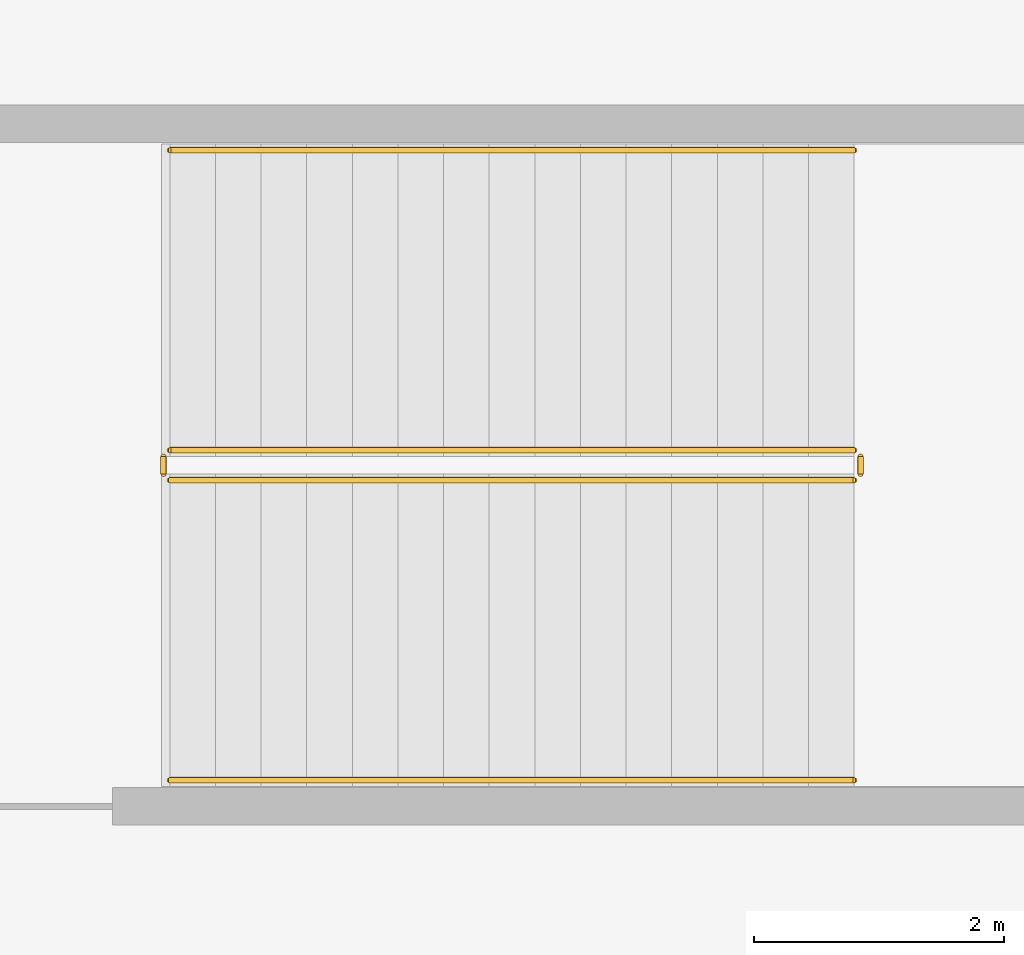
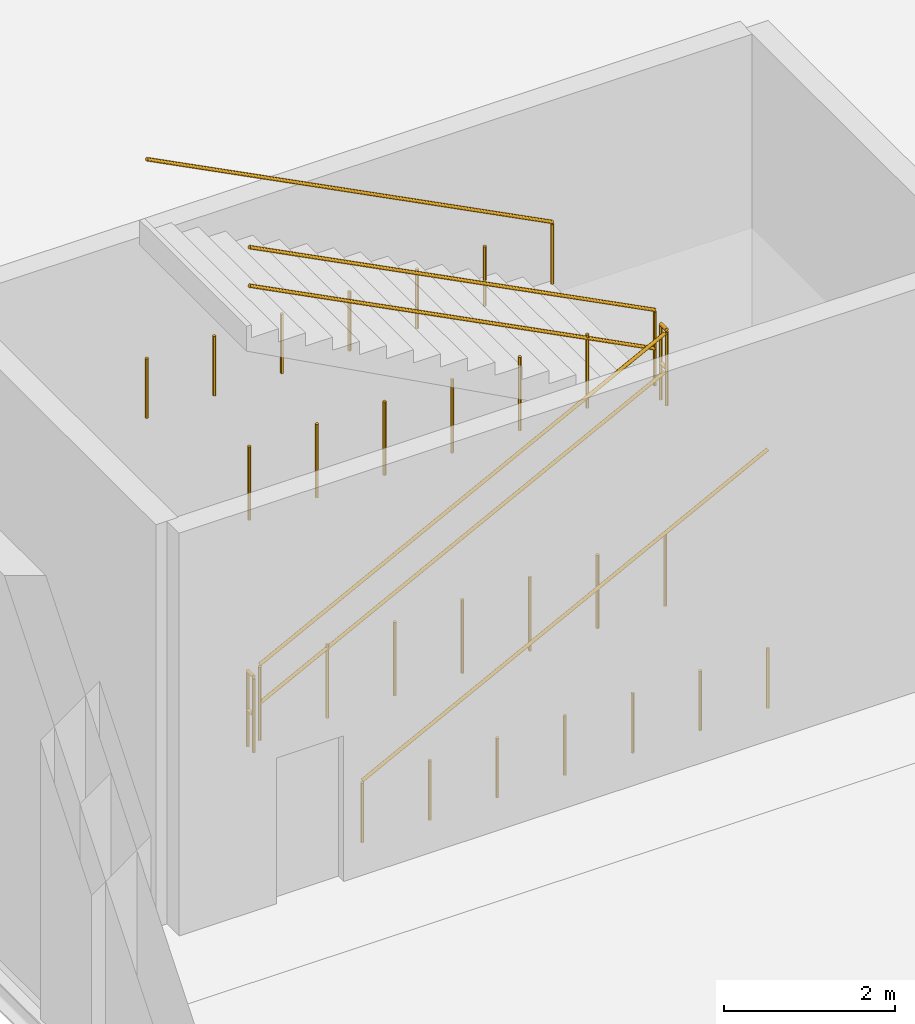
# One storey, part 111 of 124: 6 railings.
"""IFC4 building model written with IfcOpenShell, lengths in metres."""

from ifc_helpers import new_model, si_unit, direction, frame, origin, origin_2d, place, context, subcontext, project, spatial, circle, extrude, material, type_object, element, save


model = new_model("IFC4")

# Units and contexts
model_context = context("Model", 3, precision=1e-05, world=origin(), true_north=direction((0.0, 1.0)))
body_context = subcontext(model_context, "Body", "Model", "MODEL_VIEW")
ifc_project = project(units=[si_unit("LENGTHUNIT", "METRE"), si_unit("AREAUNIT", "SQUARE_METRE"), si_unit("VOLUMEUNIT", "CUBIC_METRE"), si_unit("PLANEANGLEUNIT", "RADIAN"), si_unit("MASSUNIT", "GRAM", prefix="KILO")], contexts=[model_context])

# Site, building, storey
site_placement = place(None, origin())
site = spatial("IfcSite", under=ifc_project, at=site_placement, CompositionType="ELEMENT")
building_placement = place(site_placement, origin())
building = spatial("IfcBuilding", under=site, at=building_placement, Name="Danafjord Basin Convention Centre", CompositionType="ELEMENT")
storey_placement = place(building_placement, origin())
storey = spatial("IfcBuildingStorey", under=building, at=storey_placement, Name="L00", CompositionType="ELEMENT", Elevation=0.0)

# Railings
ifc_material_1 = material(Name="Galvanised steel S355", Category="steel")
railing_type_1 = type_object("IfcRailingType", Name="RL-GD-WELL", PredefinedType="BALUSTRADE", material=ifc_material_1)
railing_1_placement = place(storey_placement, frame((4.530029296875, 100.010009765625, 0.1875)))
element("IfcRailing", 1, at=railing_1_placement, inside=storey, type_object=railing_type_1, Name="L00 ST-08 stair guard 1", PredefinedType="BALUSTRADE", context=body_context, shape_type="SweptSolid", body=[
    extrude(circle(Radius=0.02392578125, at=origin_2d()), frame((0.0, 0.0, 1.076171875), z_axis=(0.889495128042, 0.0, 0.456944654405), x_axis=(0.0, 1.0, 0.0)), (0.0, 0.0, 1.0), 6.155029296875),
    extrude(circle(Radius=0.02392578125, at=origin_2d()), frame((0.0, 0.0, 0.52587890625), z_axis=(0.889495128042, 0.0, 0.456944654405), x_axis=(0.0, 1.0, 0.0)), (0.0, 0.0, 1.0), 6.155029296875),
    extrude(circle(Radius=0.02099609375, at=origin_2d()), origin(), (0.0, 0.0, 1.0), 1.050048828125),
    extrude(circle(Radius=0.02099609375, at=origin_2d()), frame((0.91259765625, 0.0, 0.0)), (0.0, 0.0, 1.0), 1.050048828125),
    extrude(circle(Radius=0.02099609375, at=origin_2d()), frame((1.824951171875, 0.0, 0.0)), (0.0, 0.0, 1.0), 1.050048828125),
    extrude(circle(Radius=0.02099609375, at=origin_2d()), frame((2.7373046875, 0.0, 0.0)), (0.0, 0.0, 1.0), 1.050048828125),
    extrude(circle(Radius=0.02099609375, at=origin_2d()), frame((3.64990234375, 0.0, 0.0)), (0.0, 0.0, 1.0), 1.050048828125),
    extrude(circle(Radius=0.02099609375, at=origin_2d()), frame((4.5625, 0.0, 0.0)), (0.0, 0.0, 1.0), 1.050048828125),
    extrude(circle(Radius=0.02099609375, at=origin_2d()), frame((5.474853515625, 0.0, 0.0)), (0.0, 0.0, 1.0), 1.050048828125),
])
railing_2_placement = place(storey_placement, frame((10.054931640625, 100.06005859375, 3.0)))
element("IfcRailing", 2, at=railing_2_placement, inside=storey, type_object=railing_type_1, Name="L00 ST-08 stair guard 2", PredefinedType="BALUSTRADE", context=body_context, shape_type="SweptSolid", body=[
    extrude(circle(Radius=0.02392578125, at=origin_2d()), frame((0.0, 0.0, 1.076171875), z_axis=(0.0, 1.0, 0.0), x_axis=(-1.0, 0.0, 0.0)), (0.0, 0.0, 1.0), 0.139892578125),
    extrude(circle(Radius=0.02392578125, at=origin_2d()), frame((0.0, 0.0, 0.52587890625), z_axis=(0.0, 1.0, 0.0), x_axis=(-1.0, 0.0, 0.0)), (0.0, 0.0, 1.0), 0.139892578125),
    extrude(circle(Radius=0.02099609375, at=origin_2d()), origin(), (0.0, 0.0, 1.0), 1.050048828125),
    extrude(circle(Radius=0.02099609375, at=origin_2d()), frame((0.0, 0.139892578125, 0.0)), (0.0, 0.0, 1.0), 1.050048828125),
])
railing_3_placement = place(storey_placement, frame((10.0048828125, 100.25, 3.1875)))
element("IfcRailing", 3, at=railing_3_placement, inside=storey, type_object=railing_type_1, Name="L00 ST-08 stair guard 3", PredefinedType="BALUSTRADE", context=body_context, shape_type="SweptSolid", body=[
    extrude(circle(Radius=0.02392578125, at=origin_2d()), frame((0.0, 0.0, 1.076171875), z_axis=(-0.889495128042, 0.0, 0.456944654405), x_axis=(0.0, -1.0, 0.0)), (0.0, 0.0, 1.0), 6.155029296875),
    extrude(circle(Radius=0.02392578125, at=origin_2d()), frame((0.0, 0.0, 0.52587890625), z_axis=(-0.889495128042, 0.0, 0.456944654405), x_axis=(0.0, -1.0, 0.0)), (0.0, 0.0, 1.0), 6.155029296875),
    extrude(circle(Radius=0.02099609375, at=origin_2d()), origin(), (0.0, 0.0, 1.0), 1.050048828125),
    extrude(circle(Radius=0.02099609375, at=origin_2d()), frame((-0.91259765625, 0.0, 0.0)), (0.0, 0.0, 1.0), 1.050048828125),
    extrude(circle(Radius=0.02099609375, at=origin_2d()), frame((-1.824951171875, 0.0, 0.0)), (0.0, 0.0, 1.0), 1.050048828125),
    extrude(circle(Radius=0.02099609375, at=origin_2d()), frame((-2.7373046875, 0.0, 0.0)), (0.0, 0.0, 1.0), 1.050048828125),
    extrude(circle(Radius=0.02099609375, at=origin_2d()), frame((-3.64990234375, 0.0, 0.0)), (0.0, 0.0, 1.0), 1.050048828125),
    extrude(circle(Radius=0.02099609375, at=origin_2d()), frame((-4.5625, 0.0, 0.0)), (0.0, 0.0, 1.0), 1.050048828125),
    extrude(circle(Radius=0.02099609375, at=origin_2d()), frame((-5.474853515625, 0.0, 0.0)), (0.0, 0.0, 1.0), 1.050048828125),
])
railing_4_placement = place(storey_placement, frame((4.47998046875, 100.06005859375, 0.0)))
element("IfcRailing", 4, at=railing_4_placement, inside=storey, type_object=railing_type_1, Name="L00 ST-08 stair guard 4", PredefinedType="BALUSTRADE", context=body_context, shape_type="SweptSolid", body=[
    extrude(circle(Radius=0.02392578125, at=origin_2d()), frame((0.0, 0.0, 1.076171875), z_axis=(0.0, 1.0, 0.0), x_axis=(-1.0, 0.0, 0.0)), (0.0, 0.0, 1.0), 0.139892578125),
    extrude(circle(Radius=0.02392578125, at=origin_2d()), frame((0.0, 0.0, 0.52587890625), z_axis=(0.0, 1.0, 0.0), x_axis=(-1.0, 0.0, 0.0)), (0.0, 0.0, 1.0), 0.139892578125),
    extrude(circle(Radius=0.02099609375, at=origin_2d()), origin(), (0.0, 0.0, 1.0), 1.050048828125),
    extrude(circle(Radius=0.02099609375, at=origin_2d()), frame((0.0, 0.139892578125, 0.0)), (0.0, 0.0, 1.0), 1.050048828125),
])
ifc_material_2 = material(Name="Brushed stainless steel EN 1.4404", Category="steel")
railing_type_2 = type_object("IfcRailingType", Name="RL-HR-STAIR", PredefinedType="HANDRAIL", material=ifc_material_2)
railing_5_placement = place(storey_placement, frame((4.530029296875, 97.610107421875, 0.1875)))
element("IfcRailing", 5, at=railing_5_placement, inside=storey, type_object=railing_type_2, Name="L00 ST-08 stair handrail 1", PredefinedType="HANDRAIL", context=body_context, shape_type="SweptSolid", body=[
    extrude(circle(Radius=0.02392578125, at=origin_2d()), frame((0.0, 0.0, 0.8759765625), z_axis=(0.889495128042, 0.0, 0.456944654405), x_axis=(0.0, 1.0, 0.0)), (0.0, 0.0, 1.0), 6.155029296875),
    extrude(circle(Radius=0.02099609375, at=origin_2d()), origin(), (0.0, 0.0, 1.0), 0.849853515625),
    extrude(circle(Radius=0.02099609375, at=origin_2d()), frame((0.91259765625, 0.0, 0.0)), (0.0, 0.0, 1.0), 0.849853515625),
    extrude(circle(Radius=0.02099609375, at=origin_2d()), frame((1.824951171875, 0.0, 0.0)), (0.0, 0.0, 1.0), 0.849853515625),
    extrude(circle(Radius=0.02099609375, at=origin_2d()), frame((2.7373046875, 0.0, 0.0)), (0.0, 0.0, 1.0), 0.849853515625),
    extrude(circle(Radius=0.02099609375, at=origin_2d()), frame((3.64990234375, 0.0, 0.0)), (0.0, 0.0, 1.0), 0.849853515625),
    extrude(circle(Radius=0.02099609375, at=origin_2d()), frame((4.5625, 0.0, 0.0)), (0.0, 0.0, 1.0), 0.849853515625),
    extrude(circle(Radius=0.02099609375, at=origin_2d()), frame((5.474853515625, 0.0, 0.0)), (0.0, 0.0, 1.0), 0.849853515625),
])
railing_6_placement = place(storey_placement, frame((10.0048828125, 102.64990234375, 3.1875)))
element("IfcRailing", 6, at=railing_6_placement, inside=storey, type_object=railing_type_2, Name="L00 ST-08 stair handrail 2", PredefinedType="HANDRAIL", context=body_context, shape_type="SweptSolid", body=[
    extrude(circle(Radius=0.02392578125, at=origin_2d()), frame((0.0, 0.0, 0.8759765625), z_axis=(-0.889495128042, 0.0, 0.456944654405), x_axis=(0.0, -1.0, 0.0)), (0.0, 0.0, 1.0), 6.155029296875),
    extrude(circle(Radius=0.02099609375, at=origin_2d()), origin(), (0.0, 0.0, 1.0), 0.849853515625),
    extrude(circle(Radius=0.02099609375, at=origin_2d()), frame((-0.91259765625, 0.0, 0.0)), (0.0, 0.0, 1.0), 0.849853515625),
    extrude(circle(Radius=0.02099609375, at=origin_2d()), frame((-1.824951171875, 0.0, 0.0)), (0.0, 0.0, 1.0), 0.849853515625),
    extrude(circle(Radius=0.02099609375, at=origin_2d()), frame((-2.7373046875, 0.0, 0.0)), (0.0, 0.0, 1.0), 0.849853515625),
    extrude(circle(Radius=0.02099609375, at=origin_2d()), frame((-3.64990234375, 0.0, 0.0)), (0.0, 0.0, 1.0), 0.849853515625),
    extrude(circle(Radius=0.02099609375, at=origin_2d()), frame((-4.5625, 0.0, 0.0)), (0.0, 0.0, 1.0), 0.849853515625),
    extrude(circle(Radius=0.02099609375, at=origin_2d()), frame((-5.474853515625, 0.0, 0.0)), (0.0, 0.0, 1.0), 0.849853515625),
])

save(model, "model.ifc")
